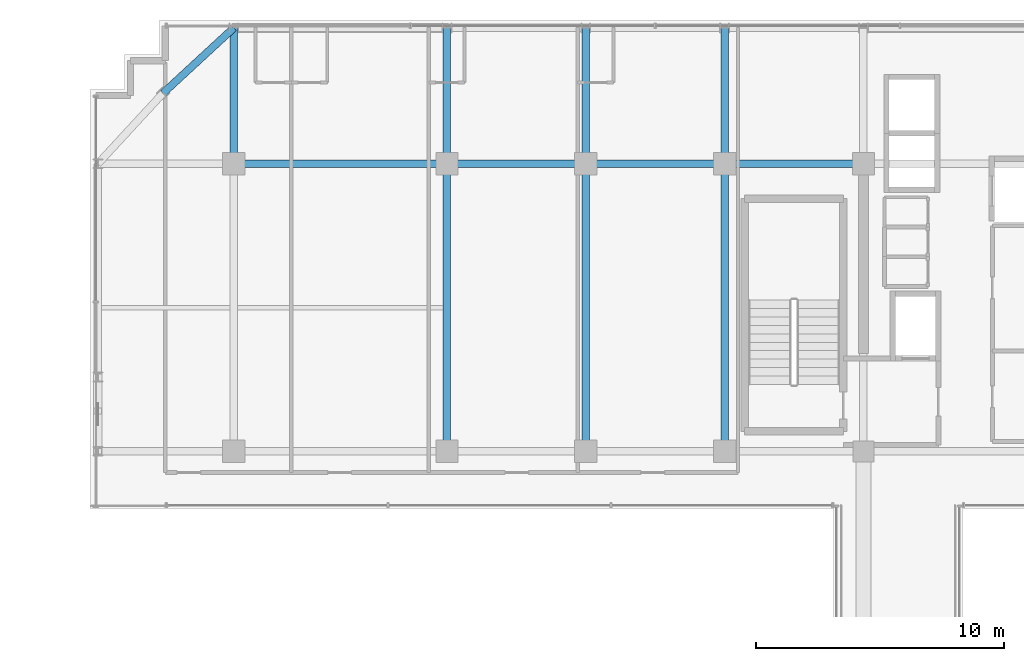
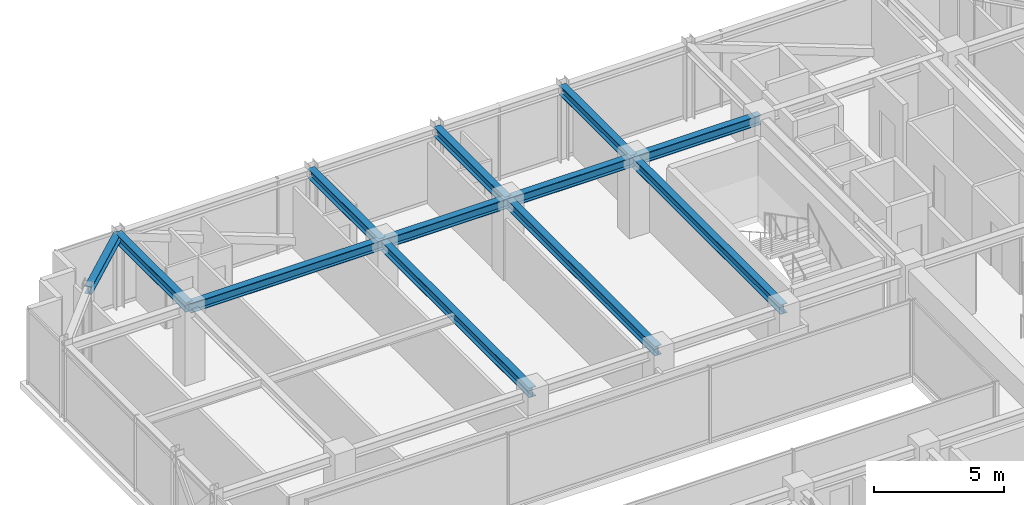
# One storey, part 23 of 37: 12 beams.
"""IFC4 building model written with IfcOpenShell, lengths in metres."""

import ifcopenshell
import ifcopenshell.guid

model = None  # the IFC model being written
_history = None  # IfcOwnerHistory: only IFC2X3 demands one
_inside = {}  # id of a spatial element -> (the spatial element, [elements in it])
_under = {}  # id of a project, library or spatial element -> (it, [spatial elements below it])
_declared = {}  # id of a project -> (the project, [libraries it declares])
_typed = {}  # id of a type object -> (the type object, [elements of that type])
_made_of = {}  # id of a material, layer set ... -> (it, [elements and type objects made of it])


def new_model(schema):
    """Start an empty IFC model of exactly this schema.

    Asked for "IFC4X3", IfcOpenShell would pick the latest addendum, in which some entities
    have other attributes; the version numbers below select the first issue.
    IFC2X3 requires an IfcOwnerHistory on every rooted entity: one is made here for all.
    """
    global model, _history
    if schema == "IFC4X3":
        model = ifcopenshell.file(schema_version=(4, 3, 0, 0))
    else:
        model = ifcopenshell.file(schema=schema)
    _inside.clear()
    _under.clear()
    _declared.clear()
    _typed.clear()
    _made_of.clear()
    _history = None
    if model.schema == "IFC2X3":
        org = make("IfcOrganization", Name="unknown")
        user = make(
            "IfcPersonAndOrganization",
            ThePerson=make("IfcPerson", FamilyName="unknown"),
            TheOrganization=org,
        )
        app = make(
            "IfcApplication",
            ApplicationDeveloper=org,
            Version="unknown",
            ApplicationFullName="unknown",
            ApplicationIdentifier="unknown",
        )
        _history = make(
            "IfcOwnerHistory",
            OwningUser=user,
            OwningApplication=app,
            ChangeAction="ADDED",
            CreationDate=0,
        )
    return model


def make(cls, **values):
    """One entity of the class cls with the attributes given. An attribute that is None is left unset."""
    return model.create_entity(
        cls, **{name: value for name, value in values.items() if value is not None}
    )


def rooted(cls, **values):
    """An entity with a GlobalId (a new one), such as an element, a storey or a relation."""
    return make(cls, GlobalId=ifcopenshell.guid.new(), OwnerHistory=_history, **values)


def si_unit(unit_type, name, prefix=None):
    """IfcSIUnit, for example si_unit("LENGTHUNIT", "METRE", prefix="MILLI")."""
    return make("IfcSIUnit", UnitType=unit_type, Prefix=prefix, Name=name)


def assignment(units):
    """IfcUnitAssignment: the units of a project."""
    return None if units is None else make("IfcUnitAssignment", Units=units)


def point(xyz):
    """IfcCartesianPoint."""
    return None if xyz is None else make("IfcCartesianPoint", Coordinates=xyz)


def direction(xyz):
    """IfcDirection."""
    return None if xyz is None else make("IfcDirection", DirectionRatios=xyz)


def frame(location, z_axis=None, x_axis=None):
    """IfcAxis2Placement3D, a coordinate frame: its origin and axes. An axis left out is left unset."""
    return make(
        "IfcAxis2Placement3D",
        Location=point(location),
        Axis=direction(z_axis),
        RefDirection=direction(x_axis),
    )


def frame_2d(location, x_axis=None):
    """IfcAxis2Placement2D, a coordinate frame in the plane: its origin and x axis."""
    return make(
        "IfcAxis2Placement2D", Location=point(location), RefDirection=direction(x_axis)
    )


def origin():
    """The frame at (0, 0, 0) with its axes left unset."""
    return frame((0.0, 0.0, 0.0))


def origin_2d():
    """The frame at (0, 0) in the plane with its x axis left unset."""
    return frame_2d((0.0, 0.0))


def place(relative_to, where):
    """IfcLocalPlacement: puts the frame where relative to a parent placement (None: the world)."""
    return make(
        "IfcLocalPlacement", PlacementRelTo=relative_to, RelativePlacement=where
    )


def context(
    kind, dimensions, precision=None, world=None, true_north=None, identifier=None
):
    """IfcGeometricRepresentationContext, for example the 3D "Model" context."""
    return make(
        "IfcGeometricRepresentationContext",
        ContextIdentifier=identifier,
        ContextType=kind,
        CoordinateSpaceDimension=dimensions,
        Precision=precision,
        WorldCoordinateSystem=world,
        TrueNorth=true_north,
    )


def subcontext(parent, identifier, kind, view, scale=None):
    """IfcGeometricRepresentationSubContext, for example "Body" below "Model"."""
    return make(
        "IfcGeometricRepresentationSubContext",
        ContextIdentifier=identifier,
        ContextType=kind,
        ParentContext=parent,
        TargetScale=scale,
        TargetView=view,
    )


def project(units=None, contexts=None):
    """IfcProject with its units and contexts."""
    return rooted(
        "IfcProject",
        Name="project",
        RepresentationContexts=contexts,
        UnitsInContext=assignment(units),
    )


def spatial(cls, under=None, at=None, **own):
    """A site, building, storey or space (cls), placed at a placement, below another one or the project."""
    s = rooted(cls, ObjectPlacement=at, **own)
    if under is not None:
        _under.setdefault(under.id(), (under, []))[1].append(s)
    return s


def profile(cls, at=None, kind="AREA", **sizes):
    """A parametric profile (cls). Its sizes go by their IFC names, for example OverallWidth=200.0."""
    return make(cls, ProfileType=kind, Position=at, **sizes)


def i_section(**sizes):
    """IfcIShapeProfileDef."""
    return profile("IfcIShapeProfileDef", **sizes)


def extrude(swept, where, along, depth):
    """IfcExtrudedAreaSolid: the profile swept, set in the frame where, extruded along a direction by depth."""
    return make(
        "IfcExtrudedAreaSolid",
        SweptArea=swept,
        Position=where,
        ExtrudedDirection=direction(along),
        Depth=depth,
    )


def shape(context_of_items, identifier, shape_type, items):
    """IfcShapeRepresentation: the items that make up one representation, for example the "Body"."""
    return make(
        "IfcShapeRepresentation",
        ContextOfItems=context_of_items,
        RepresentationIdentifier=identifier,
        RepresentationType=shape_type,
        Items=items,
    )


def source(mapping_origin, context_of_items, identifier, shape_type, items):
    """IfcRepresentationMap: a shape defined once, which mapped items show again and again."""
    return make(
        "IfcRepresentationMap",
        MappingOrigin=mapping_origin,
        MappedRepresentation=shape(context_of_items, identifier, shape_type, items),
    )


def transform(
    local_origin,
    x_axis=None,
    y_axis=None,
    z_axis=None,
    scale=None,
    scale2=None,
    scale3=None,
    uniform=True,
):
    """IfcCartesianTransformationOperator3D, or its non-uniform kind. x_axis, y_axis, z_axis: its Axis1, 2, 3."""
    if uniform:
        return make(
            "IfcCartesianTransformationOperator3D",
            Axis1=direction(x_axis),
            Axis2=direction(y_axis),
            LocalOrigin=point(local_origin),
            Scale=scale,
            Axis3=direction(z_axis),
        )
    return make(
        "IfcCartesianTransformationOperator3DnonUniform",
        Axis1=direction(x_axis),
        Axis2=direction(y_axis),
        LocalOrigin=point(local_origin),
        Scale=scale,
        Axis3=direction(z_axis),
        Scale2=scale2,
        Scale3=scale3,
    )


def mapped(mapping_source, mapping_target):
    """IfcMappedItem: shows the shape of a source again, moved by a transform."""
    return make(
        "IfcMappedItem", MappingSource=mapping_source, MappingTarget=mapping_target
    )


def material(Name=None, Category=None):
    """IfcMaterial."""
    return make("IfcMaterial", Name=Name, Category=Category)


def material_profile(
    of_material, cross_section, Name=None, Category=None, Priority=None
):
    """IfcMaterialProfile: a cross section and its material."""
    return make(
        "IfcMaterialProfile",
        Name=Name,
        Material=of_material,
        Profile=cross_section,
        Priority=Priority,
        Category=Category,
    )


def profile_set(profiles, Name=None, composite=None):
    """IfcMaterialProfileSet."""
    return make(
        "IfcMaterialProfileSet",
        Name=Name,
        MaterialProfiles=profiles,
        CompositeProfile=composite,
    )


def made_of(thing, what):
    """Note that an element or type object is made of a material, layer set ...; save() writes the relation."""
    if what is not None:
        _made_of.setdefault(what.id(), (what, []))[1].append(thing)
    return thing


def type_object(cls, material=None, **own):
    """A type object (cls), such as IfcWallType, which elements share."""
    return made_of(rooted(cls, **own), material)


def element(
    cls,
    number,
    at=None,
    inside=None,
    cuts=None,
    type_object=None,
    material=None,
    context=None,
    identifier="Body",
    shape_type=None,
    held_by="IfcProductDefinitionShape",
    body=None,
    shapes=None,
    **own,
):
    """One element of the class cls, such as IfcWall. Its Tag is "e" and its number.

    at: its placement. inside: the storey or other place that contains it. cuts: it is an
    opening in that element (IfcRelVoidsElement). A single representation is given by context,
    identifier, shape_type and body (its items); several are given by shapes. held_by: the class
    of the entity that holds the representations. save() writes the other relations.
    """
    e = rooted(cls, Tag="e%d" % number, ObjectPlacement=at, **own)
    if body is not None:
        shapes = [shape(context, identifier, shape_type, body)]
    if shapes is not None:
        e.Representation = make(held_by, Representations=shapes)
    if inside is not None:
        _inside.setdefault(inside.id(), (inside, []))[1].append(e)
    if cuts is not None:
        rooted(
            "IfcRelVoidsElement", RelatingBuildingElement=cuts, RelatedOpeningElement=e
        )
    if type_object is not None:
        _typed.setdefault(type_object.id(), (type_object, []))[1].append(e)
    return made_of(e, material)


def aggregate(whole, parts):
    """IfcRelAggregates: a whole, such as a stair, and the parts it consists of."""
    return rooted("IfcRelAggregates", RelatingObject=whole, RelatedObjects=parts)


def save(model, path):
    """Write the relations noted so far, then the file.

    IfcRelAggregates (storeys below a building ...), IfcRelContainedInSpatialStructure (elements
    in a storey), IfcRelDefinesByType, IfcRelAssociatesMaterial and IfcRelDeclares: one each for
    every whole, place, type object, material and project.
    """
    for whole, parts in _under.values():
        aggregate(whole, parts)
    for where, things in _inside.values():
        rooted(
            "IfcRelContainedInSpatialStructure",
            RelatedElements=things,
            RelatingStructure=where,
        )
    for kind, things in _typed.values():
        rooted("IfcRelDefinesByType", RelatedObjects=things, RelatingType=kind)
    for what, things in _made_of.values():
        rooted("IfcRelAssociatesMaterial", RelatedObjects=things, RelatingMaterial=what)
    for by, libraries in _declared.values():
        rooted("IfcRelDeclares", RelatingContext=by, RelatedDefinitions=libraries)
    model.write(path)


model = new_model("IFC4")

# Units and contexts
model_context = context("Model", 3, precision=1e-05, world=origin(), true_north=direction((0.0, 1.0)))
body_context = subcontext(model_context, "Body", "Model", "MODEL_VIEW")
ifc_project = project(units=[si_unit("LENGTHUNIT", "METRE"), si_unit("AREAUNIT", "SQUARE_METRE"), si_unit("VOLUMEUNIT", "CUBIC_METRE"), si_unit("PLANEANGLEUNIT", "RADIAN"), si_unit("MASSUNIT", "GRAM", prefix="KILO")], contexts=[model_context])

# Site, building, storey
site_placement = place(None, origin())
site = spatial("IfcSite", under=ifc_project, at=site_placement, CompositionType="ELEMENT")
building_placement = place(site_placement, origin())
building = spatial("IfcBuilding", under=site, at=building_placement, Name="Nahalor Promenade Grand Hotel", CompositionType="ELEMENT")
storey_placement = place(building_placement, frame((0.0, 0.0, 292.64990234375)))
storey = spatial("IfcBuildingStorey", under=building, at=storey_placement, Name="L75", CompositionType="ELEMENT", Elevation=292.64990234375)

# Beams
ifc_material = material(Name="Steel S355JR", Category="steel")
ifc_material_profile_1 = material_profile(ifc_material, i_section(OverallWidth=0.3, OverallDepth=0.45, WebThickness=0.014, FlangeThickness=0.026, at=origin_2d()), Name="HEB 450")
ifc_profile_set_1 = profile_set([ifc_material_profile_1], Name="Steel S355JR")
beam_type_1 = type_object("IfcBeamType", Name="Beam-Girder-HEB450", PredefinedType="BEAM", material=ifc_profile_set_1)
shared_shape_1 = source(origin(), body_context, "Body", "SweptSolid", [
    extrude(i_section(OverallWidth=0.3, OverallDepth=0.45, WebThickness=0.014, FlangeThickness=0.026, at=origin_2d()), origin(), (0.0, 0.0, 1.0), 8.60009765625),
])
beam_1_placement = place(storey_placement, frame((-17.0, 17.0, 3.3251953125), z_axis=(1.0, 0.0, 0.0), x_axis=(0.0, 1.0, 0.0)))
element("IfcBeam", 1, at=beam_1_placement, inside=storey, type_object=beam_type_1, Name="BM-L75-GX-3-1", PredefinedType="BEAM", context=body_context, shape_type="MappedRepresentation", body=[
    mapped(shared_shape_1, transform((0.0, 0.0, 0.0), scale=1.0)),
])
shared_shape_2 = source(origin(), body_context, "Body", "SweptSolid", [
    extrude(i_section(OverallWidth=0.3, OverallDepth=0.45, WebThickness=0.014, FlangeThickness=0.026, at=origin_2d()), origin(), (0.0, 0.0, 1.0), 5.599853515625),
])
for number, where, z_axis, x_axis, name in (
    (2, (-8.39990234375, 17.0, 3.3251953125), (1.0, 0.0, 0.0), (0.0, 1.0, 0.0), "BM-L75-GX-3-2"),
    (3, (2.800048828125, 17.0, 3.3251953125), (1.0, 0.0, 0.0), (0.0, 1.0, 0.0), "BM-L75-GX-3-4"),
):
    element("IfcBeam", number, at=place(storey_placement, frame(where, z_axis=z_axis, x_axis=x_axis)), inside=storey, type_object=beam_type_1, Name=name, PredefinedType="BEAM", context=body_context, shape_type="MappedRepresentation", body=[
        mapped(shared_shape_2, transform((0.0, 0.0, 0.0), scale=1.0)),
    ])
shared_shape_3 = source(origin(), body_context, "Body", "SweptSolid", [
    extrude(i_section(OverallWidth=0.3, OverallDepth=0.45, WebThickness=0.014, FlangeThickness=0.026, at=origin_2d()), origin(), (0.0, 0.0, 1.0), 5.60009765625),
])
beam_2_placement = place(storey_placement, frame((-2.800048828125, 17.0, 3.3251953125), z_axis=(1.0, 0.0, 0.0), x_axis=(0.0, 1.0, 0.0)))
element("IfcBeam", 4, at=beam_2_placement, inside=storey, type_object=beam_type_1, Name="BM-L75-GX-3-3", PredefinedType="BEAM", context=body_context, shape_type="MappedRepresentation", body=[
    mapped(shared_shape_3, transform((0.0, 0.0, 0.0), scale=1.0)),
])
shared_shape_4 = source(origin(), body_context, "Body", "SweptSolid", [
    extrude(i_section(OverallWidth=0.3, OverallDepth=0.45, WebThickness=0.014, FlangeThickness=0.026, at=origin_2d()), origin(), (0.0, 0.0, 1.0), 11.60009765625),
])
for number, where, z_axis, x_axis, name in (
    (5, (-8.39990234375, 5.39990234375, 3.3251953125), (0.0, 1.0, 0.0), (-1.0, 0.0, 0.0), "BM-L75-GY-1-3"),
    (6, (-2.800048828125, 5.39990234375, 3.3251953125), (0.0, 1.0, 0.0), (-1.0, 0.0, 0.0), "BM-L75-GY-2-3"),
    (7, (2.800048828125, 5.39990234375, 3.3251953125), (0.0, 1.0, 0.0), (-1.0, 0.0, 0.0), "BM-L75-GY-3-3"),
):
    element("IfcBeam", number, at=place(storey_placement, frame(where, z_axis=z_axis, x_axis=x_axis)), inside=storey, type_object=beam_type_1, Name=name, PredefinedType="BEAM", context=body_context, shape_type="MappedRepresentation", body=[
        mapped(shared_shape_4, transform((0.0, 0.0, 0.0), scale=1.0)),
    ])
shared_shape_5 = source(origin(), body_context, "Body", "SweptSolid", [
    extrude(i_section(OverallWidth=0.3, OverallDepth=0.45, WebThickness=0.014, FlangeThickness=0.026, at=origin_2d()), origin(), (0.0, 0.0, 1.0), 5.47998046875),
])
for number, where, z_axis, x_axis, name in (
    (8, (-17.0, 17.0, 3.3251953125), (0.0, 1.0, 0.0), (-1.0, 0.0, 0.0), "BM-L75-GY-0-4"),
    (9, (-8.39990234375, 17.0, 3.3251953125), (0.0, 1.0, 0.0), (-1.0, 0.0, 0.0), "BM-L75-GY-1-4"),
    (10, (-2.800048828125, 17.0, 3.3251953125), (0.0, 1.0, 0.0), (-1.0, 0.0, 0.0), "BM-L75-GY-2-4"),
    (11, (2.800048828125, 17.0, 3.3251953125), (0.0, 1.0, 0.0), (-1.0, 0.0, 0.0), "BM-L75-GY-3-4"),
):
    element("IfcBeam", number, at=place(storey_placement, frame(where, z_axis=z_axis, x_axis=x_axis)), inside=storey, type_object=beam_type_1, Name=name, PredefinedType="BEAM", context=body_context, shape_type="MappedRepresentation", body=[
        mapped(shared_shape_5, transform((0.0, 0.0, 0.0), scale=1.0)),
    ])
ifc_material_profile_2 = material_profile(ifc_material, i_section(OverallWidth=0.3, OverallDepth=0.36, WebThickness=0.0125, FlangeThickness=0.0225, at=origin_2d()), Name="HEB 360")
ifc_profile_set_2 = profile_set([ifc_material_profile_2], Name="Steel S355JR")
beam_type_2 = type_object("IfcBeamType", Name="Beam-Spandrel-HEB360", PredefinedType="SPANDREL", material=ifc_profile_set_2)
shared_shape_6 = source(origin(), body_context, "Body", "SweptSolid", [
    extrude(i_section(OverallWidth=0.3, OverallDepth=0.36, WebThickness=0.0125, FlangeThickness=0.0225, at=origin_2d()), origin(), (0.0, 0.0, 1.0), 3.878173828125),
])
beam_3_placement = place(storey_placement, frame((-17.0, 22.47998046875, 3.3701171875), z_axis=(-0.73492893846, -0.678144125843, 0.0), x_axis=(0.678144125843, -0.73492893846, 0.0)))
element("IfcBeam", 12, at=beam_3_placement, inside=storey, type_object=beam_type_2, Name="BM-L75-SPC-NW-1", PredefinedType="SPANDREL", context=body_context, shape_type="MappedRepresentation", body=[
    mapped(shared_shape_6, transform((0.0, 0.0, 0.0), scale=1.0)),
])

save(model, "model.ifc")
